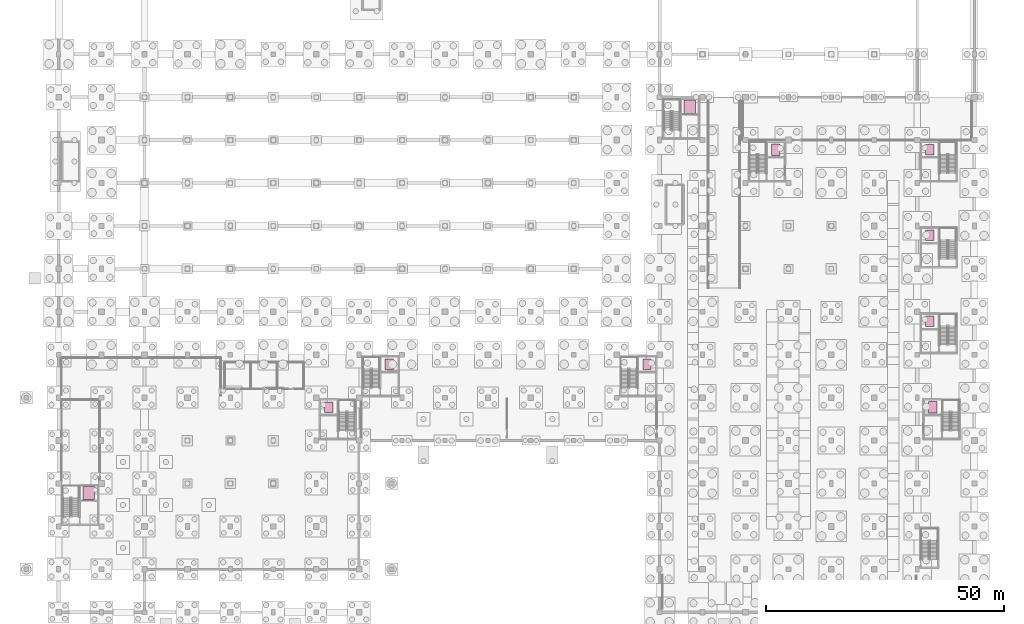
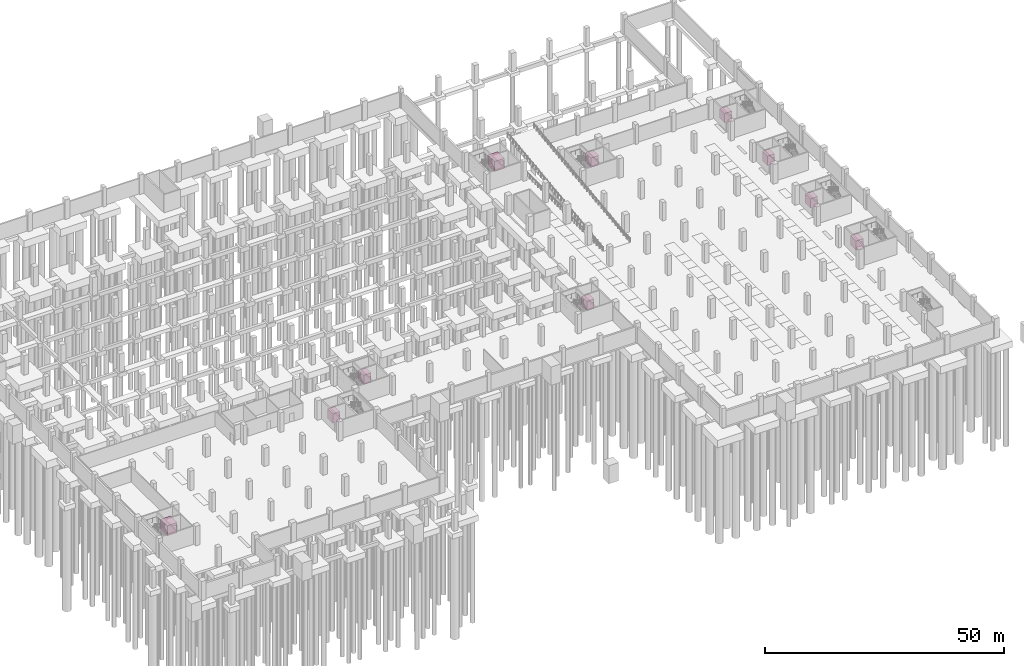
# One storey, part 37 of 37: 10 transport elements.
"""IFC4 building model written with IfcOpenShell, lengths in metres."""

from ifc_helpers import new_model, si_unit, direction, frame, origin, origin_2d, place, context, subcontext, project, spatial, rectangle, extrude, material, type_object, element, save


model = new_model("IFC4")

# Units and contexts
model_context = context("Model", 3, precision=1e-05, world=origin(), true_north=direction((0.0, 1.0)))
body_context = subcontext(model_context, "Body", "Model", "MODEL_VIEW")
ifc_project = project(units=[si_unit("LENGTHUNIT", "METRE"), si_unit("AREAUNIT", "SQUARE_METRE"), si_unit("VOLUMEUNIT", "CUBIC_METRE"), si_unit("PLANEANGLEUNIT", "RADIAN"), si_unit("MASSUNIT", "GRAM", prefix="KILO")], contexts=[model_context])

# Site, building, storey
site_placement = place(None, origin())
site = spatial("IfcSite", under=ifc_project, at=site_placement, CompositionType="ELEMENT")
building_placement = place(site_placement, origin())
building = spatial("IfcBuilding", under=site, at=building_placement, Name="Barlavento Convention Centre", CompositionType="ELEMENT")
storey_placement = place(building_placement, frame((0.0, 0.0, -5.0)))
storey = spatial("IfcBuildingStorey", under=building, at=storey_placement, Name="B1", CompositionType="ELEMENT", Elevation=-5.0)

# Transport elements
ifc_material = material(Name="Brushed stainless steel", Category="steel")
transport_element_type_1 = type_object("IfcTransportElementType", Name="ARC-LFT-FIRE", PredefinedType="ELEVATOR", material=ifc_material)
for number, where, z_axis, x_axis, name in (
    (1, (183.2548828125, 43.014892578125, 0.0), (0.0, 0.0, 1.0), (1.0, 0.0, 0.0), "Firefighting elevator FL2"),
    (2, (150.344970703125, 97.014892578125, 0.0), (0.0, 0.0, 1.0), (1.0, 0.0, 0.0), "Firefighting elevator FL1"),
):
    element("IfcTransportElement", number, at=place(storey_placement, frame(where, z_axis=z_axis, x_axis=x_axis)), inside=storey, type_object=transport_element_type_1, Name=name, PredefinedType="ELEVATOR", context=body_context, shape_type="SweptSolid", body=[
        extrude(rectangle(XDim=1.800048828125, YDim=2.39990234375, at=origin_2d()), origin(), (0.0, 0.0, 1.0), 2.39990234375),
    ])
transport_element_type_2 = type_object("IfcTransportElementType", Name="ARC-LFT-GOODS", PredefinedType="ELEVATOR", material=ifc_material)
for number, where, z_axis, x_axis, name in (
    (3, (6.344970703125, 25.014892578125, 0.0), (0.0, 0.0, 1.0), (1.0, 0.0, 0.0), "Passenger elevator LF1"),
    (4, (132.324951171875, 106.014892578125, 0.0), (0.0, 0.0, 1.0), (1.0, 0.0, 0.0), "Passenger elevator LF2"),
):
    element("IfcTransportElement", number, at=place(storey_placement, frame(where, z_axis=z_axis, x_axis=x_axis)), inside=storey, type_object=transport_element_type_2, Name=name, PredefinedType="ELEVATOR", context=body_context, shape_type="SweptSolid", body=[
        extrude(rectangle(XDim=2.39990234375, YDim=2.800048828125, at=origin_2d()), origin(), (0.0, 0.0, 1.0), 2.60009765625),
    ])
transport_element_type_3 = type_object("IfcTransportElementType", Name="ARC-LFT-PASS", PredefinedType="ELEVATOR", material=ifc_material)
for number, where, z_axis, x_axis, name in (
    (5, (56.655029296875, 43.014892578125, 0.0), (0.0, 0.0, 1.0), (1.0, 0.0, 0.0), "Passenger elevator LP1"),
    (6, (69.344970703125, 52.014892578125, 0.0), (0.0, 0.0, 1.0), (1.0, 0.0, 0.0), "Passenger elevator LP2"),
    (7, (123.344970703125, 52.014892578125, 0.0), (0.0, 0.0, 1.0), (1.0, 0.0, 0.0), "Passenger elevator LP3"),
    (8, (182.655029296875, 61.014892578125, 0.0), (0.0, 0.0, 1.0), (1.0, 0.0, 0.0), "Passenger elevator LP4"),
    (9, (182.655029296875, 79.014892578125, 0.0), (0.0, 0.0, 1.0), (1.0, 0.0, 0.0), "Passenger elevator LP5"),
    (10, (182.655029296875, 97.014892578125, 0.0), (0.0, 0.0, 1.0), (1.0, 0.0, 0.0), "Passenger elevator LP6"),
):
    element("IfcTransportElement", number, at=place(storey_placement, frame(where, z_axis=z_axis, x_axis=x_axis)), inside=storey, type_object=transport_element_type_3, Name=name, PredefinedType="ELEVATOR", context=body_context, shape_type="SweptSolid", body=[
        extrude(rectangle(XDim=1.75, YDim=2.199951171875, at=origin_2d()), origin(), (0.0, 0.0, 1.0), 2.39990234375),
    ])

save(model, "model.ifc")
